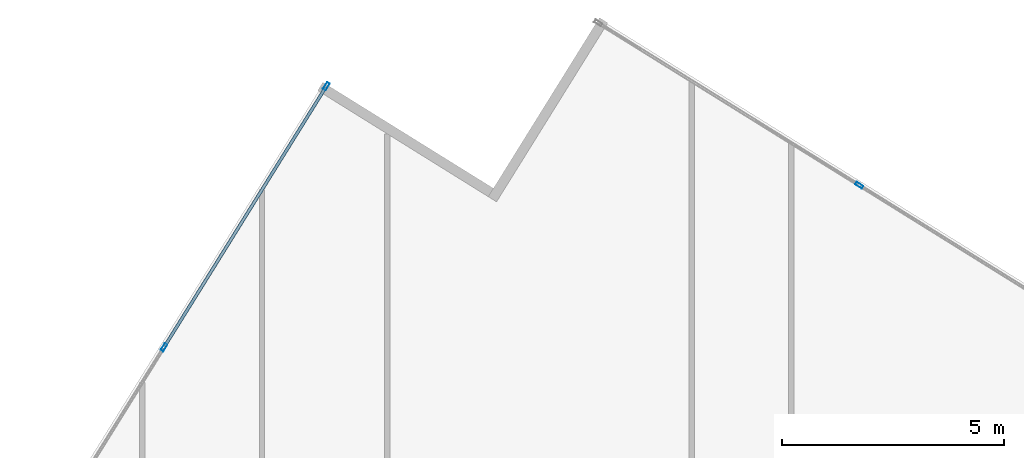
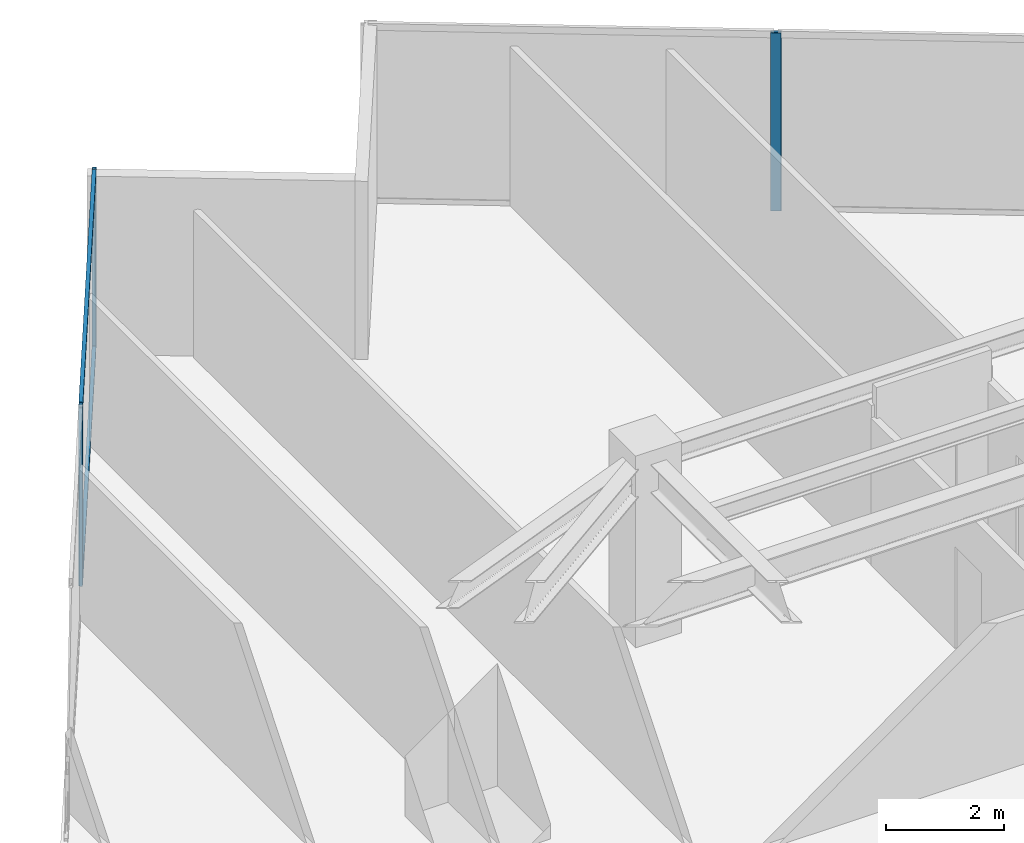
# One storey, part 15 of 25: 5 members, 2 elements without a shape of their own.
"""IFC4 building model written with IfcOpenShell, lengths in metres."""

from ifc_helpers import new_model, si_unit, direction, frame, origin, origin_2d, place, context, subcontext, project, spatial, hollow_rectangle, extrude, source, transform, mapped, material, material_profile, profile_set, type_object, type_shapes, element, aggregate, save


model = new_model("IFC4")

# Units and contexts
model_context = context("Model", 3, precision=1e-05, world=origin(), true_north=direction((0.0, 1.0)))
body_context = subcontext(model_context, "Body", "Model", "MODEL_VIEW")
ifc_project = project(units=[si_unit("LENGTHUNIT", "METRE"), si_unit("AREAUNIT", "SQUARE_METRE"), si_unit("VOLUMEUNIT", "CUBIC_METRE"), si_unit("PLANEANGLEUNIT", "RADIAN"), si_unit("MASSUNIT", "GRAM", prefix="KILO")], contexts=[model_context])

# Site, building, storey
site_placement = place(None, origin())
site = spatial("IfcSite", under=ifc_project, at=site_placement, CompositionType="ELEMENT")
building_placement = place(site_placement, origin())
building = spatial("IfcBuilding", under=site, at=building_placement, Name="Krantzveldt Concourse Tower", CompositionType="ELEMENT")
storey_placement = place(building_placement, frame((0.0, 0.0, 181.75)))
storey = spatial("IfcBuildingStorey", under=building, at=storey_placement, Name="L44", CompositionType="ELEMENT", Elevation=181.75)

# Curtain wall, members
ifc_material = material(Name="Anodised aluminium 6063-T6", Category="aluminium")
curtain_wall_type = type_object("IfcCurtainWallType", Name="CW3", PredefinedType="USERDEFINED", material=ifc_material)
curtain_wall_1_placement = place(storey_placement, origin())
curtain_wall_1 = element("IfcCurtainWall", 1, at=curtain_wall_1_placement, inside=storey, type_object=curtain_wall_type, Name="CW-L44-F01", ObjectType="UNITISED CURTAIN WALL", PredefinedType="USERDEFINED")
ifc_material_profile_1 = material_profile(ifc_material, hollow_rectangle(XDim=0.070068359375, YDim=0.179931640625, WallThickness=0.0048828125, at=origin_2d()), Name="Anodised aluminium 6063-T6", Category="aluminium")
ifc_profile_set_1 = profile_set([ifc_material_profile_1], Name="Anodised aluminium 6063-T6 - ALU-MULL 180x70x5")
member_type_1 = type_object("IfcMemberType", Name="CW-MUL-180", PredefinedType="MULLION", material=ifc_profile_set_1)
shared_shape_1 = source(origin(), body_context, "Body", "SweptSolid", [
    extrude(hollow_rectangle(XDim=0.070068359375, YDim=0.179931640625, WallThickness=0.0048828125, at=origin_2d()), origin(), (0.0, 0.0, 1.0), 3.669921875),
])
type_shapes(member_type_1, [shared_shape_1])
member_1_placement = place(storey_placement, frame((26.648681640625, 52.963623046875, 0.0), z_axis=(0.0, 0.0, 1.0), x_axis=(0.84920214961, -0.528067901977, 0.0)))
member_1 = element("IfcMember", 2, at=member_1_placement, type_object=member_type_1, Name="CW-Z34 mullion 1", PredefinedType="MULLION", context=body_context, shape_type="MappedRepresentation", body=[
    mapped(shared_shape_1, transform((0.0, 0.0, 0.0), x_axis=(1.0, 0.0, 0.0), y_axis=(0.0, 1.0, 0.0), z_axis=(0.0, 0.0, 1.0), scale=1.0)),
])
member_2_placement = place(storey_placement, frame((22.991943359375, 47.082763671875, 0.0), z_axis=(0.0, 0.0, 1.0), x_axis=(0.84920214961, -0.528067901977, 0.0)))
member_2 = element("IfcMember", 3, at=member_2_placement, type_object=member_type_1, Name="CW-Z34 mullion 2", PredefinedType="MULLION", context=body_context, shape_type="MappedRepresentation", body=[
    mapped(shared_shape_1, transform((0.0, 0.0, 0.0), x_axis=(1.0, 0.0, 0.0), y_axis=(0.0, 1.0, 0.0), z_axis=(0.0, 0.0, 1.0), scale=1.0)),
])

# Curtain wall, member
curtain_wall_2_placement = place(storey_placement, origin())
curtain_wall_2 = element("IfcCurtainWall", 4, at=curtain_wall_2_placement, inside=storey, type_object=curtain_wall_type, Name="CW-L44-F10", ObjectType="UNITISED CURTAIN WALL", PredefinedType="USERDEFINED")
member_3_placement = place(storey_placement, frame((38.6513671875, 50.734130859375, 0.0), z_axis=(0.0, 0.0, 1.0), x_axis=(-0.528067901977, -0.84920214961, 0.0)))
member_3 = element("IfcMember", 5, at=member_3_placement, type_object=member_type_1, Name="CW-Z34 mullion 5", PredefinedType="MULLION", context=body_context, shape_type="MappedRepresentation", body=[
    mapped(shared_shape_1, transform((0.0, 0.0, 0.0), x_axis=(1.0, 0.0, 0.0), y_axis=(0.0, 1.0, 0.0), z_axis=(0.0, 0.0, 1.0), scale=1.0)),
])
aggregate(curtain_wall_2, [member_3])

# Member
ifc_material_profile_2 = material_profile(ifc_material, hollow_rectangle(XDim=0.070068359375, YDim=0.139892578125, WallThickness=0.0048828125, at=origin_2d()), Name="Anodised aluminium 6063-T6", Category="aluminium")
ifc_profile_set_2 = profile_set([ifc_material_profile_2], Name="Anodised aluminium 6063-T6 - ALU-TRAN 140x70x5")
member_type_2 = type_object("IfcMemberType", Name="CW-TRN-150", PredefinedType="USERDEFINED", material=ifc_profile_set_2)
shared_shape_2 = source(origin(), body_context, "Body", "SweptSolid", [
    extrude(hollow_rectangle(XDim=0.070068359375, YDim=0.139892578125, WallThickness=0.0048828125, at=origin_2d()), origin(), (0.0, 0.0, 1.0), 6.85498046875),
])
type_shapes(member_type_2, [shared_shape_2])
member_4_placement = place(storey_placement, frame((26.63037109375, 52.933837890625, 0.034912109375), z_axis=(-0.52806394654, -0.849204609246, 0.0), x_axis=(0.849204609246, -0.52806394654, 0.0)))
member_4 = element("IfcMember", 6, at=member_4_placement, type_object=member_type_2, Name="CW-Z34 transom 1.1", ObjectType="TRANSOM", PredefinedType="USERDEFINED", context=body_context, shape_type="MappedRepresentation", body=[
    mapped(shared_shape_2, transform((0.0, 0.0, 0.0), x_axis=(1.0, 0.0, 0.0), y_axis=(0.0, 1.0, 0.0), z_axis=(0.0, 0.0, 1.0), scale=1.0)),
])

member_5_placement = place(storey_placement, frame((26.63037109375, 52.933837890625, 3.635009765625), z_axis=(-0.52806394654, -0.849204609246, 0.0), x_axis=(0.849204609246, -0.52806394654, 0.0)))
member_5 = element("IfcMember", 7, at=member_5_placement, type_object=member_type_2, Name="CW-Z34 transom 1.2", ObjectType="TRANSOM", PredefinedType="USERDEFINED", context=body_context, shape_type="MappedRepresentation", body=[
    mapped(shared_shape_2, transform((0.0, 0.0, 0.0), x_axis=(1.0, 0.0, 0.0), y_axis=(0.0, 1.0, 0.0), z_axis=(0.0, 0.0, 1.0), scale=1.0)),
])

aggregate(curtain_wall_1, [member_1, member_2, member_4, member_5])

save(model, "model.ifc")
